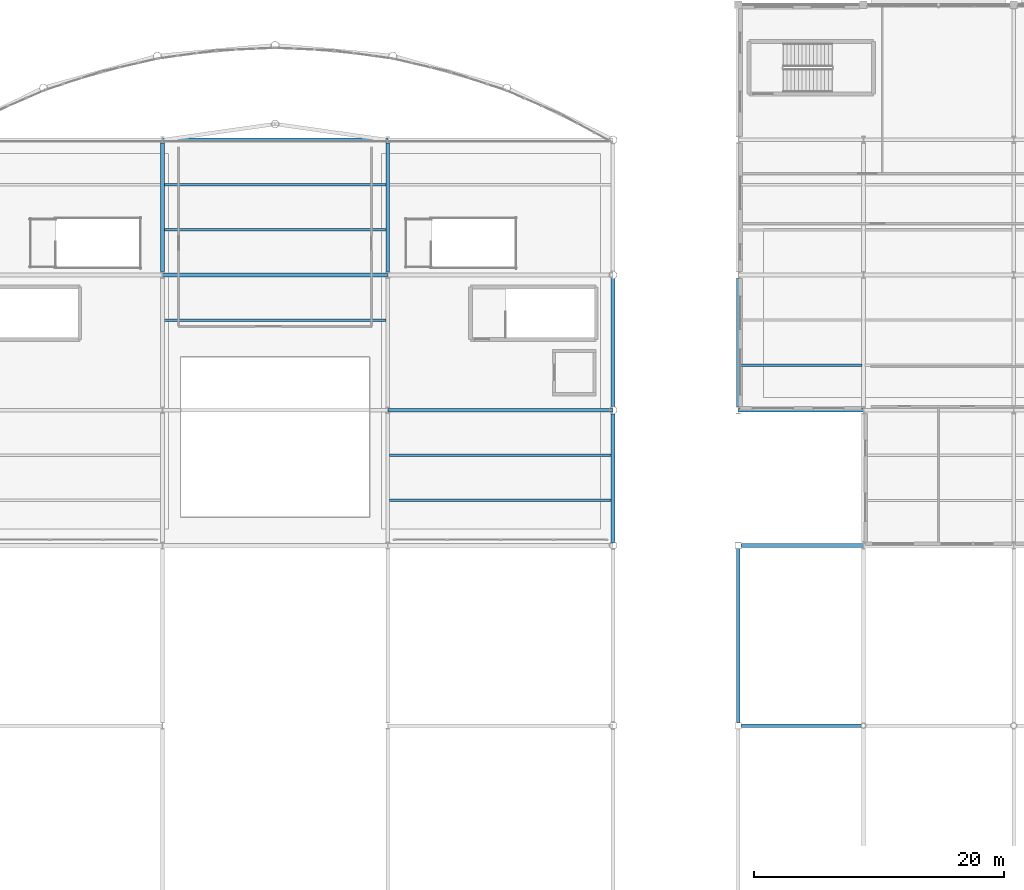
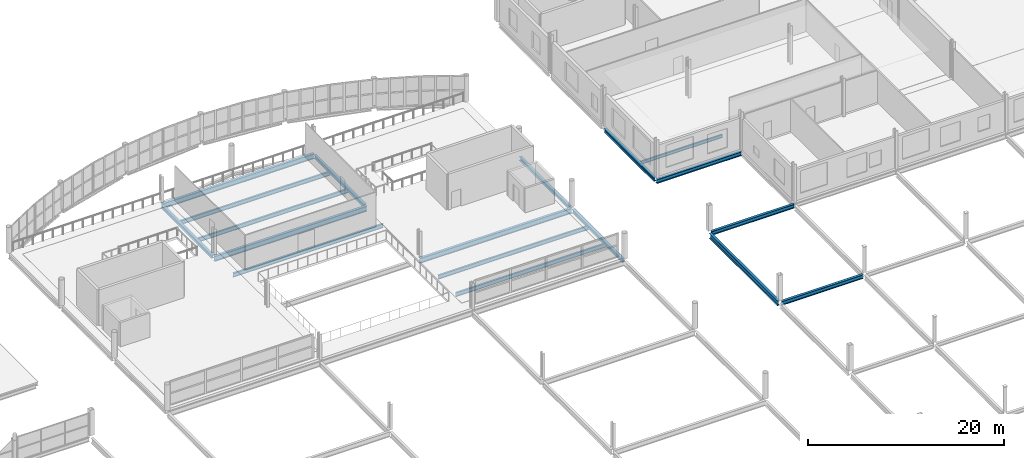
# One storey, part 69 of 134: 18 beams.
"""IFC4 building model written with IfcOpenShell, lengths in metres."""

from ifc_helpers import new_model, si_unit, direction, frame, origin, origin_2d, place, context, subcontext, project, spatial, i_section, extrude, material, material_profile, profile_set, type_object, element, save


model = new_model("IFC4")

# Units and contexts
model_context = context("Model", 3, precision=1e-05, world=origin(), true_north=direction((0.0, 1.0)))
body_context = subcontext(model_context, "Body", "Model", "MODEL_VIEW")
ifc_project = project(units=[si_unit("LENGTHUNIT", "METRE"), si_unit("AREAUNIT", "SQUARE_METRE"), si_unit("VOLUMEUNIT", "CUBIC_METRE"), si_unit("PLANEANGLEUNIT", "RADIAN"), si_unit("MASSUNIT", "GRAM", prefix="KILO")], contexts=[model_context])

# Site, building, storey
site_placement = place(None, origin())
site = spatial("IfcSite", under=ifc_project, at=site_placement, CompositionType="ELEMENT")
building_placement = place(site_placement, origin())
building = spatial("IfcBuilding", under=site, at=building_placement, Name="Tamarisk Ironworks Central Station", CompositionType="ELEMENT")
storey_placement = place(building_placement, frame((0.0, 0.0, 12.60009765625)))
storey = spatial("IfcBuildingStorey", under=building, at=storey_placement, Name="L02", CompositionType="ELEMENT", Elevation=12.60009765625)

# Beams
ifc_material = material(Name="Structural steel S355J2", Category="steel")
ifc_material_profile_1 = material_profile(ifc_material, i_section(OverallWidth=0.199951171875, OverallDepth=0.5, WebThickness=0.01025390625, FlangeThickness=0.01611328125, at=origin_2d()), Name="IPE 500")
ifc_profile_set_1 = profile_set([ifc_material_profile_1], Name="Structural steel S355J2")
beam_type_1 = type_object("IfcBeamType", Name="BM-B02", PredefinedType="BEAM", material=ifc_profile_set_1)
for number, where, z_axis, x_axis, name in (
    (1, (72.135009765625, 97.199951171875, -0.530029296875), (1.0, 0.0, 0.0), (0.0, 1.0, 0.0), "L02 secondary composite beam 0122"),
    (2, (72.135009765625, 104.39990234375, -0.530029296875), (1.0, 0.0, 0.0), (0.0, 1.0, 0.0), "L02 secondary composite beam 0123"),
    (3, (72.135009765625, 108.0, -0.530029296875), (1.0, 0.0, 0.0), (0.0, 1.0, 0.0), "L02 secondary composite beam 0124"),
    (4, (90.135009765625, 82.800048828125, -0.530029296875), (1.0, 0.0, 0.0), (0.0, 1.0, 0.0), "L02 secondary composite beam 0127"),
    (5, (90.135009765625, 86.39990234375, -0.530029296875), (1.0, 0.0, 0.0), (0.0, 1.0, 0.0), "L02 secondary composite beam 0128"),
):
    element("IfcBeam", number, at=place(storey_placement, frame(where, z_axis=z_axis, x_axis=x_axis)), inside=storey, type_object=beam_type_1, Name=name, PredefinedType="BEAM", context=body_context, shape_type="SweptSolid", body=[
        extrude(i_section(OverallWidth=0.199951171875, OverallDepth=0.5, WebThickness=0.01025390625, FlangeThickness=0.01611328125, at=origin_2d()), origin(), (0.0, 0.0, 1.0), 17.72998046875),
    ])
ifc_material_profile_2 = material_profile(ifc_material, i_section(OverallWidth=0.179931640625, OverallDepth=0.39990234375, WebThickness=0.008544921875, FlangeThickness=0.013427734375, at=origin_2d()), Name="IPE 400")
ifc_profile_set_2 = profile_set([ifc_material_profile_2], Name="Structural steel S355J2")
beam_type_2 = type_object("IfcBeamType", Name="BM-B04", PredefinedType="BEAM", material=ifc_profile_set_2)
beam_1_placement = place(storey_placement, frame((118.135009765625, 93.60009765625, -0.4501953125), z_axis=(1.0, 0.0, 0.0), x_axis=(0.0, 1.0, 0.0)))
element("IfcBeam", 6, at=beam_1_placement, inside=storey, type_object=beam_type_2, Name="L02 secondary composite beam 0157", PredefinedType="BEAM", context=body_context, shape_type="SweptSolid", body=[
    extrude(i_section(OverallWidth=0.179931640625, OverallDepth=0.39990234375, WebThickness=0.008544921875, FlangeThickness=0.013427734375, at=origin_2d()), origin(), (0.0, 0.0, 1.0), 9.72998046875),
])
ifc_material_profile_3 = material_profile(ifc_material, i_section(OverallWidth=0.300048828125, OverallDepth=0.639892578125, WebThickness=0.013427734375, FlangeThickness=0.02587890625, at=origin_2d()), Name="HEA 650")
ifc_profile_set_3 = profile_set([ifc_material_profile_3], Name="Structural steel S355J2")
beam_type_3 = type_object("IfcBeamType", Name="BM-G02", PredefinedType="BEAM", material=ifc_profile_set_3)
for number, where, z_axis, x_axis, name in (
    (7, (90.00390625, 90.0, -0.60009765625), (1.0, 0.0, 0.0), (0.0, 1.0, 0.0), "L02 primary girder X-0375"),
    (8, (72.00390625, 100.800048828125, -0.60009765625), (1.0, 0.0, 0.0), (0.0, 1.0, 0.0), "L02 primary girder X-0386"),
    (9, (72.00390625, 111.60009765625, -0.60009765625), (1.0, 0.0, 0.0), (0.0, 1.0, 0.0), "L02 primary girder X-0399"),
):
    element("IfcBeam", number, at=place(storey_placement, frame(where, z_axis=z_axis, x_axis=x_axis)), inside=storey, type_object=beam_type_3, Name=name, PredefinedType="BEAM", context=body_context, shape_type="SweptSolid", body=[
        extrude(i_section(OverallWidth=0.300048828125, OverallDepth=0.639892578125, WebThickness=0.013427734375, FlangeThickness=0.02587890625, at=origin_2d()), origin(), (0.0, 0.0, 1.0), 17.9921875),
    ])
beam_2_placement = place(storey_placement, frame((118.0, 65.0380859375, -0.570068359375), z_axis=(0.0, 1.0, 0.0), x_axis=(-1.0, 0.0, 0.0)))
element("IfcBeam", 10, at=beam_2_placement, inside=storey, type_object=beam_type_3, Name="L02 primary girder Y-0491", PredefinedType="BEAM", context=body_context, shape_type="SweptSolid", body=[
    extrude(i_section(OverallWidth=0.300048828125, OverallDepth=0.639892578125, WebThickness=0.013427734375, FlangeThickness=0.02587890625, at=origin_2d()), origin(), (0.0, 0.0, 1.0), 13.923828125),
])
ifc_material_profile_4 = material_profile(ifc_material, i_section(OverallWidth=0.300048828125, OverallDepth=0.489990234375, WebThickness=0.011962890625, FlangeThickness=0.02294921875, at=origin_2d()), Name="HEA 500")
ifc_profile_set_4 = profile_set([ifc_material_profile_4], Name="Structural steel S355J2")
beam_type_4 = type_object("IfcBeamType", Name="BM-G05", PredefinedType="BEAM", material=ifc_profile_set_4)
beam_3_placement = place(storey_placement, frame((118.238037109375, 64.800048828125, -0.4951171875), z_axis=(1.0, 0.0, 0.0), x_axis=(0.0, 1.0, 0.0)))
element("IfcBeam", 11, at=beam_3_placement, inside=storey, type_object=beam_type_4, Name="L02 primary girder X-0350", PredefinedType="BEAM", context=body_context, shape_type="SweptSolid", body=[
    extrude(i_section(OverallWidth=0.300048828125, OverallDepth=0.489990234375, WebThickness=0.011962890625, FlangeThickness=0.02294921875, at=origin_2d()), origin(), (0.0, 0.0, 1.0), 9.57080078125),
])
beam_4_placement = place(storey_placement, frame((118.238037109375, 79.199951171875, -0.4951171875), z_axis=(1.0, 0.0, 0.0), x_axis=(0.0, 1.0, 0.0)))
element("IfcBeam", 12, at=beam_4_placement, inside=storey, type_object=beam_type_4, Name="L02 primary girder X-0363", PredefinedType="BEAM", context=body_context, shape_type="SweptSolid", body=[
    extrude(i_section(OverallWidth=0.300048828125, OverallDepth=0.489990234375, WebThickness=0.011962890625, FlangeThickness=0.02294921875, at=origin_2d()), origin(), (0.0, 0.0, 1.0), 9.758056640625),
])
beam_5_placement = place(storey_placement, frame((118.00390625, 90.0, -0.4951171875), z_axis=(1.0, 0.0, 0.0), x_axis=(0.0, 1.0, 0.0)))
element("IfcBeam", 13, at=beam_5_placement, inside=storey, type_object=beam_type_4, Name="L02 primary girder X-0376", PredefinedType="BEAM", context=body_context, shape_type="SweptSolid", body=[
    extrude(i_section(OverallWidth=0.300048828125, OverallDepth=0.489990234375, WebThickness=0.011962890625, FlangeThickness=0.02294921875, at=origin_2d()), origin(), (0.0, 0.0, 1.0), 9.9921875),
])
ifc_material_profile_5 = material_profile(ifc_material, i_section(OverallWidth=0.300048828125, OverallDepth=0.43994140625, WebThickness=0.011474609375, FlangeThickness=0.02099609375, at=origin_2d()), Name="HEA 450")
ifc_profile_set_5 = profile_set([ifc_material_profile_5], Name="Structural steel S355J2")
beam_type_5 = type_object("IfcBeamType", Name="BM-G06", PredefinedType="BEAM", material=ifc_profile_set_5)
for number, where, z_axis, x_axis, name in (
    (14, (72.0, 101.06298828125, -0.5), (0.0, 1.0, 0.0), (-1.0, 0.0, 0.0), "L02 primary girder Y-0471"),
    (15, (90.0, 101.06298828125, -0.5), (0.0, 1.0, 0.0), (-1.0, 0.0, 0.0), "L02 primary girder Y-0479"),
):
    element("IfcBeam", number, at=place(storey_placement, frame(where, z_axis=z_axis, x_axis=x_axis)), inside=storey, type_object=beam_type_5, Name=name, PredefinedType="BEAM", context=body_context, shape_type="SweptSolid", body=[
        extrude(i_section(OverallWidth=0.300048828125, OverallDepth=0.43994140625, WebThickness=0.011474609375, FlangeThickness=0.02099609375, at=origin_2d()), origin(), (0.0, 0.0, 1.0), 10.27392578125),
    ])
beam_6_placement = place(storey_placement, frame((108.0, 79.39599609375, -0.5), z_axis=(0.0, 1.0, 0.0), x_axis=(-1.0, 0.0, 0.0)))
element("IfcBeam", 16, at=beam_6_placement, inside=storey, type_object=beam_type_5, Name="L02 primary girder Y-0485", PredefinedType="BEAM", context=body_context, shape_type="SweptSolid", body=[
    extrude(i_section(OverallWidth=0.300048828125, OverallDepth=0.43994140625, WebThickness=0.011474609375, FlangeThickness=0.02099609375, at=origin_2d()), origin(), (0.0, 0.0, 1.0), 10.31591796875),
])
for number, where, z_axis, x_axis, name in (
    (17, (108.0, 90.2880859375, -0.5), (0.0, 1.0, 0.0), (-1.0, 0.0, 0.0), "L02 primary girder Y-0486"),
    (18, (118.0, 90.2880859375, -0.47021484375), (0.0, 1.0, 0.0), (-1.0, 0.0, 0.0), "L02 primary girder Y-0492"),
):
    element("IfcBeam", number, at=place(storey_placement, frame(where, z_axis=z_axis, x_axis=x_axis)), inside=storey, type_object=beam_type_5, Name=name, PredefinedType="BEAM", context=body_context, shape_type="SweptSolid", body=[
        extrude(i_section(OverallWidth=0.300048828125, OverallDepth=0.43994140625, WebThickness=0.011474609375, FlangeThickness=0.02099609375, at=origin_2d()), origin(), (0.0, 0.0, 1.0), 10.223876953125),
    ])

save(model, "model.ifc")
